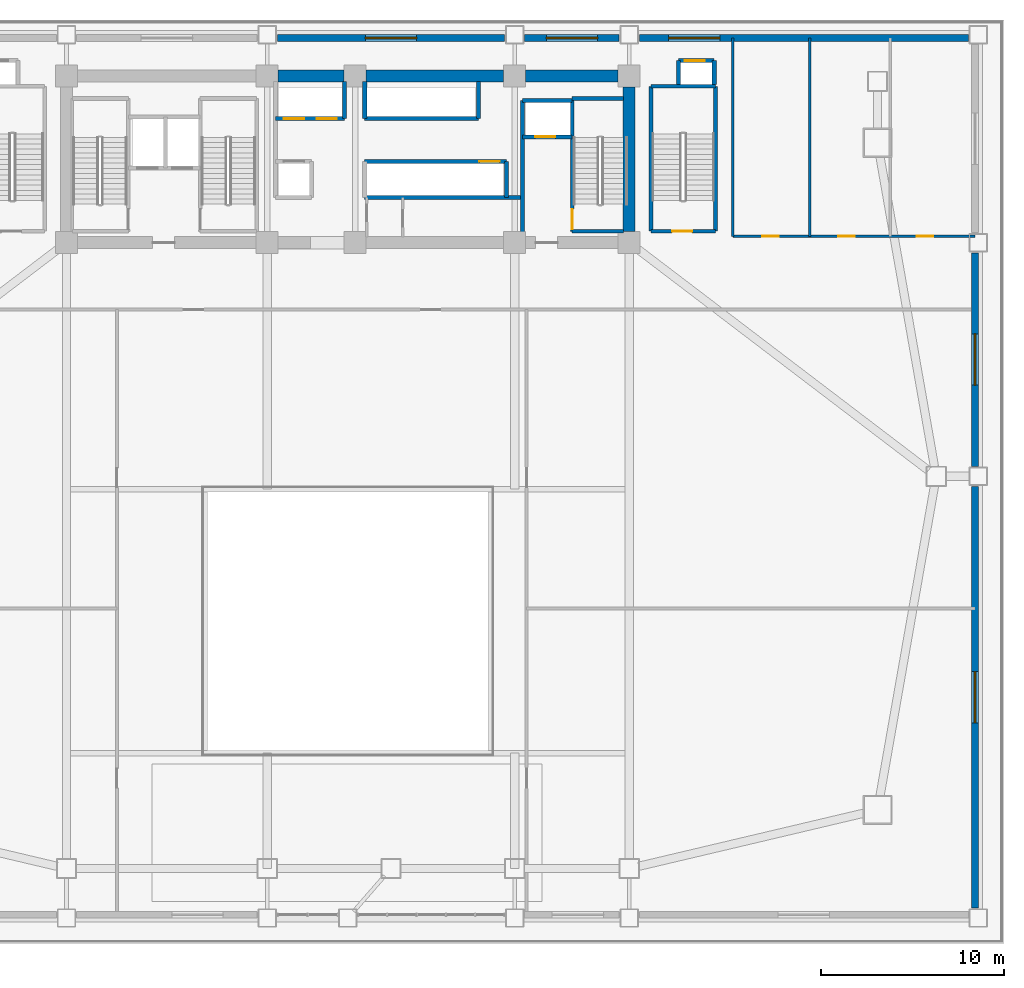
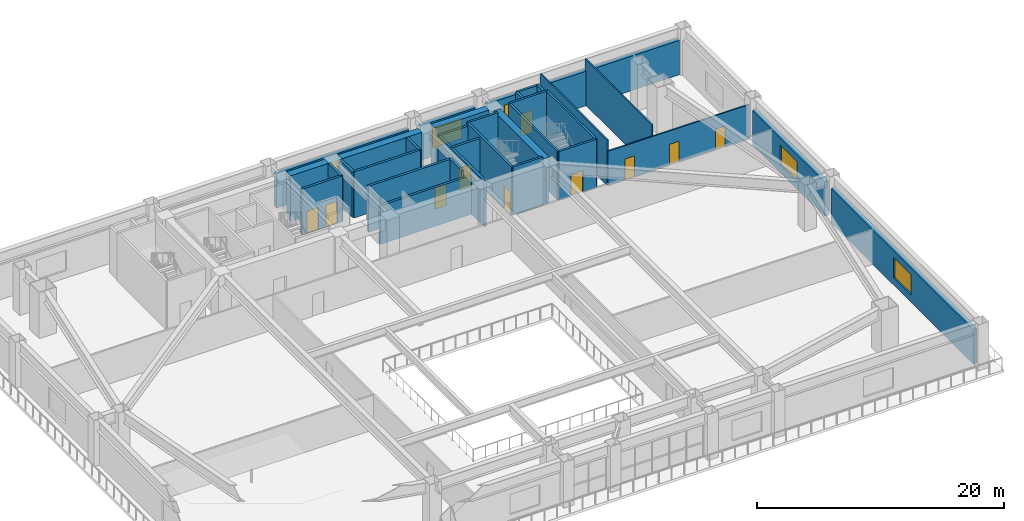
# One storey, part 8 of 14: 33 walls, 10 doors, 5 windows, 15 openings.
"""IFC4 building model written with IfcOpenShell, lengths in metres."""

from ifc_helpers import new_model, si_unit, direction, frame, frame_2d, origin, place, context, subcontext, project, spatial, rectangle, extrude, source, transform, mapped, material, layer, layer_set, type_object, element, fill, save


model = new_model("IFC4")

# Units and contexts
model_context = context("Model", 3, precision=1e-05, world=origin(), true_north=direction((0.0, 1.0)))
body_context = subcontext(model_context, "Body", "Model", "MODEL_VIEW")
ifc_project = project(units=[si_unit("LENGTHUNIT", "METRE"), si_unit("AREAUNIT", "SQUARE_METRE"), si_unit("VOLUMEUNIT", "CUBIC_METRE"), si_unit("PLANEANGLEUNIT", "RADIAN"), si_unit("MASSUNIT", "GRAM", prefix="KILO")], contexts=[model_context])

# Site, building, storey
site_placement = place(None, origin())
site = spatial("IfcSite", under=ifc_project, at=site_placement, CompositionType="ELEMENT")
building_placement = place(site_placement, origin())
building = spatial("IfcBuilding", under=site, at=building_placement, Name="Giltprow Tower", CompositionType="ELEMENT")
storey_placement = place(building_placement, frame((0.0, 0.0, 10.39990234375)))
storey = spatial("IfcBuildingStorey", under=building, at=storey_placement, Name="L03", CompositionType="ELEMENT", Elevation=10.39990234375)

# Wall, opening, window
ifc_material_1 = material(Name="Precast concrete C40", Category="concrete")
ifc_layer_1 = layer(ifc_material_1, 0.360107421875, Name="Precast concrete C40")
ifc_layer_set_1 = layer_set([ifc_layer_1], Name="Precast concrete C40")
wall_type_1 = type_object("IfcWallType", Name="EW-POD-STONE-360", PredefinedType="SOLIDWALL", material=ifc_layer_set_1)
wall_1_placement = place(storey_placement, frame((31.35009765625, 48.6201171875, 0.0), z_axis=(0.0, 0.0, 1.0), x_axis=(1.0, 0.0, 0.0)))
wall_1 = element("IfcWall", 1, at=wall_1_placement, inside=storey, type_object=wall_type_1, Name="L03 North Podium Masonry Wall 3", PredefinedType="SOLIDWALL", context=body_context, shape_type="SweptSolid", body=[
    extrude(rectangle(XDim=12.39990234375, YDim=0.360107421875, at=frame_2d((6.199951171875, 0.0))), origin(), (0.0, 0.0, 1.0), 3.420166015625),
])
opening_1_placement = place(wall_1_placement, frame((4.800048828125, 0.0, 0.719970703125)))
opening_1 = element("IfcOpeningElement", 2, at=opening_1_placement, cuts=wall_1, Name="Opening WN31", PredefinedType="OPENING", context=body_context, shape_type="SweptSolid", body=[
    extrude(rectangle(XDim=2.800048828125, YDim=2.0, at=frame_2d((1.39990234375, 1.0))), frame((0.0, 0.18994140625, 0.0), z_axis=(0.0, -1.0, 0.0), x_axis=(1.0, 0.0, 0.0)), (0.0, 0.0, 1.0), 0.380126953125),
])
ifc_material_2 = material(Name="Insulated glass", Category="glass")
window_type = type_object("IfcWindowType", Name="WN-POD-2800x2000", PartitioningType="SINGLE_PANEL", PredefinedType="WINDOW", material=ifc_material_2)
shared_shape_1 = source(origin(), body_context, "Body", "SweptSolid", [
    extrude(rectangle(XDim=2.800048828125, YDim=2.0, at=frame_2d((1.39990234375, 1.0))), frame((0.0, 0.030029296875, 0.0), z_axis=(0.0, -1.0, 0.0), x_axis=(1.0, 0.0, 0.0)), (0.0, 0.0, 1.0), 0.06005859375),
])
window_1_placement = place(opening_1_placement, origin())
window_1 = element("IfcWindow", 3, at=window_1_placement, inside=storey, type_object=window_type, Name="L03 Podium North Window 3", OverallHeight=2.0, OverallWidth=2.800048828125, PartitioningType="SINGLE_PANEL", PredefinedType="WINDOW", context=body_context, shape_type="MappedRepresentation", body=[
    mapped(shared_shape_1, transform((0.0, 0.0, 0.0), x_axis=(1.0, 0.0, 0.0), y_axis=(0.0, 1.0, 0.0), z_axis=(0.0, 0.0, 1.0), scale=1.0)),
])
fill(opening_1, window_1)

wall_2_placement = place(storey_placement, frame((44.85009765625, 48.6201171875, 0.0), z_axis=(0.0, 0.0, 1.0), x_axis=(1.0, 0.0, 0.0)))
wall_2 = element("IfcWall", 4, at=wall_2_placement, inside=storey, type_object=wall_type_1, Name="L03 North Podium Masonry Wall 4", PredefinedType="SOLIDWALL", context=body_context, shape_type="SweptSolid", body=[
    extrude(rectangle(XDim=5.14990234375, YDim=0.360107421875, at=frame_2d((2.574951171875, 0.0))), origin(), (0.0, 0.0, 1.0), 3.420166015625),
])
opening_2_placement = place(wall_2_placement, frame((1.175048828125, 0.0, 0.719970703125)))
opening_2 = element("IfcOpeningElement", 5, at=opening_2_placement, cuts=wall_2, Name="Opening WN31", PredefinedType="OPENING", context=body_context, shape_type="SweptSolid", body=[
    extrude(rectangle(XDim=2.800048828125, YDim=2.0, at=frame_2d((1.39990234375, 1.0))), frame((0.0, 0.18994140625, 0.0), z_axis=(0.0, -1.0, 0.0), x_axis=(1.0, 0.0, 0.0)), (0.0, 0.0, 1.0), 0.380126953125),
])
window_2_placement = place(opening_2_placement, origin())
window_2 = element("IfcWindow", 6, at=window_2_placement, inside=storey, type_object=window_type, Name="L03 Podium North Window 4", OverallHeight=2.0, OverallWidth=2.800048828125, PartitioningType="SINGLE_PANEL", PredefinedType="WINDOW", context=body_context, shape_type="MappedRepresentation", body=[
    mapped(shared_shape_1, transform((0.0, 0.0, 0.0), x_axis=(1.0, 0.0, 0.0), y_axis=(0.0, 1.0, 0.0), z_axis=(0.0, 0.0, 1.0), scale=1.0)),
])
fill(opening_2, window_2)

wall_3_placement = place(storey_placement, frame((51.10009765625, 48.6201171875, 0.0), z_axis=(0.0, 0.0, 1.0), x_axis=(1.0, 0.0, 0.0)))
wall_3 = element("IfcWall", 7, at=wall_3_placement, inside=storey, type_object=wall_type_1, Name="L03 North Podium Masonry Wall 5", PredefinedType="SOLIDWALL", context=body_context, shape_type="SweptSolid", body=[
    extrude(rectangle(XDim=17.949951171875, YDim=0.360107421875, at=frame_2d((8.97509765625, 0.0))), origin(), (0.0, 0.0, 1.0), 3.420166015625),
])
opening_3_placement = place(wall_3_placement, frame((1.60009765625, 0.0, 0.719970703125)))
opening_3 = element("IfcOpeningElement", 8, at=opening_3_placement, cuts=wall_3, Name="Opening WN31", PredefinedType="OPENING", context=body_context, shape_type="SweptSolid", body=[
    extrude(rectangle(XDim=2.800048828125, YDim=2.0, at=frame_2d((1.39990234375, 1.0))), frame((0.0, 0.18994140625, 0.0), z_axis=(0.0, -1.0, 0.0), x_axis=(1.0, 0.0, 0.0)), (0.0, 0.0, 1.0), 0.380126953125),
])
window_3_placement = place(opening_3_placement, origin())
window_3 = element("IfcWindow", 9, at=window_3_placement, inside=storey, type_object=window_type, Name="L03 Podium North Window 5", OverallHeight=2.0, OverallWidth=2.800048828125, PartitioningType="SINGLE_PANEL", PredefinedType="WINDOW", context=body_context, shape_type="MappedRepresentation", body=[
    mapped(shared_shape_1, transform((0.0, 0.0, 0.0), x_axis=(1.0, 0.0, 0.0), y_axis=(0.0, 1.0, 0.0), z_axis=(0.0, 0.0, 1.0), scale=1.0)),
])
fill(opening_3, window_3)

wall_4_placement = place(storey_placement, frame((69.419921875, 1.14990234375, 0.0), z_axis=(0.0, 0.0, 1.0), x_axis=(0.0, 1.0, 0.0)))
wall_4 = element("IfcWall", 10, at=wall_4_placement, inside=storey, type_object=wall_type_1, Name="L03 E Podium Masonry Wall 1", PredefinedType="SOLIDWALL", context=body_context, shape_type="SweptSolid", body=[
    extrude(rectangle(XDim=23.0, YDim=0.360107421875, at=frame_2d((11.5, 0.0))), origin(), (0.0, 0.0, 1.0), 3.420166015625),
])
opening_4_placement = place(wall_4_placement, frame((10.10009765625, 0.0, 0.719970703125)))
opening_4 = element("IfcOpeningElement", 11, at=opening_4_placement, cuts=wall_4, Name="Opening WN31", PredefinedType="OPENING", context=body_context, shape_type="SweptSolid", body=[
    extrude(rectangle(XDim=2.800048828125, YDim=2.0, at=frame_2d((1.39990234375, 1.0))), frame((0.0, 0.18994140625, 0.0), z_axis=(0.0, -1.0, 0.0), x_axis=(1.0, 0.0, 0.0)), (0.0, 0.0, 1.0), 0.380126953125),
])
window_4_placement = place(opening_4_placement, origin())
window_4 = element("IfcWindow", 12, at=window_4_placement, inside=storey, type_object=window_type, Name="L03 Podium E Window 1", OverallHeight=2.0, OverallWidth=2.800048828125, PartitioningType="SINGLE_PANEL", PredefinedType="WINDOW", context=body_context, shape_type="MappedRepresentation", body=[
    mapped(shared_shape_1, transform((0.0, 0.0, 0.0), x_axis=(1.0, 0.0, 0.0), y_axis=(0.0, 1.0, 0.0), z_axis=(0.0, 0.0, 1.0), scale=1.0)),
])
fill(opening_4, window_4)

wall_5_placement = place(storey_placement, frame((69.419921875, 25.25, 0.0), z_axis=(0.0, 0.0, 1.0), x_axis=(0.0, 1.0, 0.0)))
wall_5 = element("IfcWall", 13, at=wall_5_placement, inside=storey, type_object=wall_type_1, Name="L03 E Podium Masonry Wall 2", PredefinedType="SOLIDWALL", context=body_context, shape_type="SweptSolid", body=[
    extrude(rectangle(XDim=11.64990234375, YDim=0.360107421875, at=frame_2d((5.824951171875, 0.0))), origin(), (0.0, 0.0, 1.0), 3.420166015625),
])
opening_5_placement = place(wall_5_placement, frame((4.425048828125, 0.0, 0.719970703125)))
opening_5 = element("IfcOpeningElement", 14, at=opening_5_placement, cuts=wall_5, Name="Opening WN31", PredefinedType="OPENING", context=body_context, shape_type="SweptSolid", body=[
    extrude(rectangle(XDim=2.800048828125, YDim=2.0, at=frame_2d((1.39990234375, 1.0))), frame((0.0, 0.18994140625, 0.0), z_axis=(0.0, -1.0, 0.0), x_axis=(1.0, 0.0, 0.0)), (0.0, 0.0, 1.0), 0.380126953125),
])
window_5_placement = place(opening_5_placement, origin())
window_5 = element("IfcWindow", 15, at=window_5_placement, inside=storey, type_object=window_type, Name="L03 Podium E Window 2", OverallHeight=2.0, OverallWidth=2.800048828125, PartitioningType="SINGLE_PANEL", PredefinedType="WINDOW", context=body_context, shape_type="MappedRepresentation", body=[
    mapped(shared_shape_1, transform((0.0, 0.0, 0.0), x_axis=(1.0, 0.0, 0.0), y_axis=(0.0, 1.0, 0.0), z_axis=(0.0, 0.0, 1.0), scale=1.0)),
])
fill(opening_5, window_5)

# Wall, opening, door
ifc_material_3 = material(Name="Concrete C40", Category="concrete")
ifc_layer_2 = layer(ifc_material_3, 0.219970703125, Name="Concrete C40")
ifc_layer_set_2 = layer_set([ifc_layer_2], Name="Concrete C40")
wall_type_2 = type_object("IfcWallType", Name="IW-SHAFT-220", PredefinedType="SOLIDWALL", material=ifc_layer_set_2)
wall_6_placement = place(storey_placement, frame((44.719970703125, 43.219970703125, 0.0), z_axis=(0.0, 0.0, 1.0), x_axis=(1.0, 0.0, 0.0)))
wall_6 = element("IfcWall", 16, at=wall_6_placement, inside=storey, type_object=wall_type_2, Name="L03 FFL2 Front Shaft Wall", PredefinedType="SOLIDWALL", context=body_context, shape_type="SweptSolid", body=[
    extrude(rectangle(XDim=2.719970703125, YDim=0.219970703125, at=frame_2d((1.35986328125, 0.0))), origin(), (0.0, 0.0, 1.0), 4.5400390625),
])
opening_6_placement = place(wall_6_placement, frame((0.699951171875, 0.0, 0.0)))
opening_6 = element("IfcOpeningElement", 17, at=opening_6_placement, cuts=wall_6, Name="Opening LD-11", PredefinedType="OPENING", context=body_context, shape_type="SweptSolid", body=[
    extrude(rectangle(XDim=1.10009765625, YDim=2.199951171875, at=frame_2d((0.550048828125, 1.10009765625))), frame((0.0, 0.119873046875, 0.0), z_axis=(0.0, -1.0, 0.0), x_axis=(1.0, 0.0, 0.0)), (0.0, 0.0, 1.0), 0.239990234375),
])
ifc_material_4 = material(Name="Stainless steel", Category="steel")
door_type_1 = type_object("IfcDoorType", Name="DR-LIFT-LD1100", OperationType="SLIDING_TO_LEFT", PredefinedType="DOOR", material=ifc_material_4)
shared_shape_2 = source(origin(), body_context, "Body", "SweptSolid", [
    extrude(rectangle(XDim=1.10009765625, YDim=2.199951171875, at=frame_2d((0.550048828125, 1.10009765625))), frame((0.0, 0.02490234375, 0.0), z_axis=(0.0, -1.0, 0.0), x_axis=(1.0, 0.0, 0.0)), (0.0, 0.0, 1.0), 0.050048828125),
])
door_1_placement = place(opening_6_placement, origin())
door_1 = element("IfcDoor", 18, at=door_1_placement, inside=storey, type_object=door_type_1, Name="L03 FFL2 Landing Door", OperationType="SLIDING_TO_LEFT", OverallHeight=2.199951171875, OverallWidth=1.10009765625, PredefinedType="DOOR", context=body_context, shape_type="MappedRepresentation", body=[
    mapped(shared_shape_2, transform((0.0, 0.0, 0.0), x_axis=(1.0, 0.0, 0.0), y_axis=(0.0, 1.0, 0.0), z_axis=(0.0, 0.0, 1.0), scale=1.0)),
])
fill(opening_6, door_1)

# Walls
wall_7_placement = place(storey_placement, frame((44.719970703125, 45.219970703125, 0.0), z_axis=(0.0, 0.0, 1.0), x_axis=(1.0, 0.0, 0.0)))
element("IfcWall", 19, at=wall_7_placement, inside=storey, type_object=wall_type_2, Name="L03 FFL2 Back Shaft Wall", PredefinedType="SOLIDWALL", context=body_context, shape_type="SweptSolid", body=[
    extrude(rectangle(XDim=2.719970703125, YDim=0.219970703125, at=frame_2d((1.35986328125, 0.0))), origin(), (0.0, 0.0, 1.0), 4.5400390625),
])
wall_8_placement = place(storey_placement, frame((44.719970703125, 37.7548828125, 0.0), z_axis=(0.0, 0.0, 1.0), x_axis=(0.0, 1.0, 0.0)))
element("IfcWall", 20, at=wall_8_placement, inside=storey, type_object=wall_type_2, Name="L03 East Firefighting Lobby West Wall", PredefinedType="SOLIDWALL", context=body_context, shape_type="SweptSolid", body=[
    extrude(rectangle(XDim=7.465087890625, YDim=0.219970703125, at=frame_2d((3.732421875, 0.0))), origin(), (0.0, 0.0, 1.0), 4.5400390625),
])

# Wall, opening, door
wall_9_placement = place(storey_placement, frame((53.22998046875, 47.3798828125, 0.0), z_axis=(0.0, 0.0, 1.0), x_axis=(1.0, 0.0, 0.0)))
wall_9 = element("IfcWall", 21, at=wall_9_placement, inside=storey, type_object=wall_type_2, Name="L03 PL-P2 Front Wall", PredefinedType="SOLIDWALL", context=body_context, shape_type="SweptSolid", body=[
    extrude(rectangle(XDim=1.9599609375, YDim=0.219970703125, at=frame_2d((0.97998046875, 0.0))), origin(), (0.0, 0.0, 1.0), 4.5400390625),
])
opening_7_placement = place(wall_9_placement, frame((0.35009765625, 0.0, 0.0)))
opening_7 = element("IfcOpeningElement", 22, at=opening_7_placement, cuts=wall_9, Name="Opening LD-11", PredefinedType="OPENING", context=body_context, shape_type="SweptSolid", body=[
    extrude(rectangle(XDim=1.10009765625, YDim=2.199951171875, at=frame_2d((0.550048828125, 1.10009765625))), frame((0.0, 0.119873046875, 0.0), z_axis=(0.0, -1.0, 0.0), x_axis=(1.0, 0.0, 0.0)), (0.0, 0.0, 1.0), 0.239990234375),
])
door_2_placement = place(opening_7_placement, origin())
door_2 = element("IfcDoor", 23, at=door_2_placement, inside=storey, type_object=door_type_1, Name="L03 PL-P2 Landing Door", OperationType="SLIDING_TO_LEFT", OverallHeight=2.199951171875, OverallWidth=1.10009765625, PredefinedType="DOOR", context=body_context, shape_type="MappedRepresentation", body=[
    mapped(shared_shape_2, transform((0.0, 0.0, 0.0), x_axis=(1.0, 0.0, 0.0), y_axis=(0.0, 1.0, 0.0), z_axis=(0.0, 0.0, 1.0), scale=1.0)),
])
fill(opening_7, door_2)

# Walls
for number, where, z_axis, x_axis, name in (
    (24, (53.22998046875, 46.090087890625, 0.0), (0.0, 0.0, 1.0), (0.0, 1.0, 0.0), "L03 PL-P2 West Shaft Wall"),
    (25, (55.18994140625, 46.090087890625, 0.0), (0.0, 0.0, 1.0), (0.0, 1.0, 0.0), "L03 PL-P2 East Shaft Wall"),
):
    element("IfcWall", number, at=place(storey_placement, frame(where, z_axis=z_axis, x_axis=x_axis)), inside=storey, type_object=wall_type_2, Name=name, PredefinedType="SOLIDWALL", context=body_context, shape_type="SweptSolid", body=[
        extrude(rectangle(XDim=1.289794921875, YDim=0.219970703125, at=frame_2d((0.64501953125, 0.0))), origin(), (0.0, 0.0, 1.0), 4.5400390625),
    ])

# Wall, openings, doors
wall_10_placement = place(storey_placement, frame((31.25, 44.219970703125, 0.0), z_axis=(0.0, 0.0, 1.0), x_axis=(1.0, 0.0, 0.0)))
wall_10 = element("IfcWall", 26, at=wall_10_placement, inside=storey, type_object=wall_type_2, Name="L03 North West Lift Shaft Front Wall", PredefinedType="SOLIDWALL", context=body_context, shape_type="SweptSolid", body=[
    extrude(rectangle(XDim=3.77001953125, YDim=0.219970703125, at=frame_2d((1.885009765625, 0.0))), origin(), (0.0, 0.0, 1.0), 4.5400390625),
])
opening_8_placement = place(wall_10_placement, frame((0.4599609375, 0.0, 0.0)))
opening_8 = element("IfcOpeningElement", 27, at=opening_8_placement, cuts=wall_10, Name="Opening LD-11", PredefinedType="OPENING", context=body_context, shape_type="SweptSolid", body=[
    extrude(rectangle(XDim=1.10009765625, YDim=2.199951171875, at=frame_2d((0.550048828125, 1.10009765625))), frame((0.0, 0.119873046875, 0.0), z_axis=(0.0, -1.0, 0.0), x_axis=(1.0, 0.0, 0.0)), (0.0, 0.0, 1.0), 0.239990234375),
])
opening_9_placement = place(wall_10_placement, frame((2.239990234375, 0.0, 0.0)))
opening_9 = element("IfcOpeningElement", 28, at=opening_9_placement, cuts=wall_10, Name="Opening LD-11", PredefinedType="OPENING", context=body_context, shape_type="SweptSolid", body=[
    extrude(rectangle(XDim=1.10009765625, YDim=2.199951171875, at=frame_2d((0.550048828125, 1.10009765625))), frame((0.0, 0.119873046875, 0.0), z_axis=(0.0, -1.0, 0.0), x_axis=(1.0, 0.0, 0.0)), (0.0, 0.0, 1.0), 0.239990234375),
])
door_3_placement = place(opening_8_placement, origin())
door_3 = element("IfcDoor", 29, at=door_3_placement, inside=storey, type_object=door_type_1, Name="L03 PL-L1 Landing Door", OperationType="SLIDING_TO_LEFT", OverallHeight=2.199951171875, OverallWidth=1.10009765625, PredefinedType="DOOR", context=body_context, shape_type="MappedRepresentation", body=[
    mapped(shared_shape_2, transform((0.0, 0.0, 0.0), x_axis=(1.0, 0.0, 0.0), y_axis=(0.0, 1.0, 0.0), z_axis=(0.0, 0.0, 1.0), scale=1.0)),
])
fill(opening_8, door_3)
door_4_placement = place(opening_9_placement, origin())
door_4 = element("IfcDoor", 30, at=door_4_placement, inside=storey, type_object=door_type_1, Name="L03 PL-L2 Landing Door", OperationType="SLIDING_TO_LEFT", OverallHeight=2.199951171875, OverallWidth=1.10009765625, PredefinedType="DOOR", context=body_context, shape_type="MappedRepresentation", body=[
    mapped(shared_shape_2, transform((0.0, 0.0, 0.0), x_axis=(1.0, 0.0, 0.0), y_axis=(0.0, 1.0, 0.0), z_axis=(0.0, 0.0, 1.0), scale=1.0)),
])
fill(opening_9, door_4)

# Walls
wall_11_placement = place(storey_placement, frame((36.1201171875, 44.219970703125, 0.0), z_axis=(0.0, 0.0, 1.0), x_axis=(1.0, 0.0, 0.0)))
element("IfcWall", 31, at=wall_11_placement, inside=storey, type_object=wall_type_2, Name="L03 North East Lift Shaft Front Wall", PredefinedType="SOLIDWALL", context=body_context, shape_type="SweptSolid", body=[
    extrude(rectangle(XDim=6.199951171875, YDim=0.219970703125, at=frame_2d((3.10009765625, 0.0))), origin(), (0.0, 0.0, 1.0), 4.5400390625),
])
for number, where, z_axis, x_axis, name in (
    (32, (35.02001953125, 44.219970703125, 0.0), (0.0, 0.0, 1.0), (0.0, 1.0, 0.0), "L03 North West Lift Shaft East Closure"),
    (33, (36.1201171875, 44.219970703125, 0.0), (0.0, 0.0, 1.0), (0.0, 1.0, 0.0), "L03 North East Lift Shaft West Closure"),
    (34, (42.320068359375, 44.219970703125, 0.0), (0.0, 0.0, 1.0), (0.0, 1.0, 0.0), "L03 North East Lift Shaft East Closure"),
):
    element("IfcWall", number, at=place(storey_placement, frame(where, z_axis=z_axis, x_axis=x_axis)), inside=storey, type_object=wall_type_2, Name=name, PredefinedType="SOLIDWALL", context=body_context, shape_type="SweptSolid", body=[
        extrude(rectangle(XDim=2.025146484375, YDim=0.219970703125, at=frame_2d((1.0126953125, 0.0))), origin(), (0.0, 0.0, 1.0), 4.5400390625),
    ])

# Wall, opening, door
wall_12_placement = place(storey_placement, frame((36.1201171875, 41.8798828125, 0.0), z_axis=(0.0, 0.0, 1.0), x_axis=(1.0, 0.0, 0.0)))
wall_12 = element("IfcWall", 35, at=wall_12_placement, inside=storey, type_object=wall_type_2, Name="L03 South East Lift Shaft Front Wall", PredefinedType="SOLIDWALL", context=body_context, shape_type="SweptSolid", body=[
    extrude(rectangle(XDim=7.72998046875, YDim=0.219970703125, at=frame_2d((3.864990234375, 0.0))), origin(), (0.0, 0.0, 1.0), 4.5400390625),
])
opening_10_placement = place(wall_12_placement, frame((6.260009765625, 0.0, 0.0)))
opening_10 = element("IfcOpeningElement", 36, at=opening_10_placement, cuts=wall_12, Name="Opening LD-11", PredefinedType="OPENING", context=body_context, shape_type="SweptSolid", body=[
    extrude(rectangle(XDim=1.10009765625, YDim=2.199951171875, at=frame_2d((0.550048828125, 1.10009765625))), frame((0.0, 0.119873046875, 0.0), z_axis=(0.0, -1.0, 0.0), x_axis=(1.0, 0.0, 0.0)), (0.0, 0.0, 1.0), 0.239990234375),
])
door_5_placement = place(opening_10_placement, origin())
door_5 = element("IfcDoor", 37, at=door_5_placement, inside=storey, type_object=door_type_1, Name="L03 PL-L4 Landing Door", OperationType="SLIDING_TO_LEFT", OverallHeight=2.199951171875, OverallWidth=1.10009765625, PredefinedType="DOOR", context=body_context, shape_type="MappedRepresentation", body=[
    mapped(shared_shape_2, transform((0.0, 0.0, 0.0), x_axis=(1.0, 0.0, 0.0), y_axis=(0.0, 1.0, 0.0), z_axis=(0.0, 0.0, 1.0), scale=1.0)),
])
fill(opening_10, door_5)

# Walls
wall_13_placement = place(storey_placement, frame((36.1201171875, 39.919921875, 0.0), z_axis=(0.0, 0.0, 1.0), x_axis=(1.0, 0.0, 0.0)))
element("IfcWall", 38, at=wall_13_placement, inside=storey, type_object=wall_type_2, Name="L03 Express South Shaft Back Wall", PredefinedType="SOLIDWALL", context=body_context, shape_type="SweptSolid", body=[
    extrude(rectangle(XDim=8.599853515625, YDim=0.219970703125, at=frame_2d((4.2998046875, 0.0))), origin(), (0.0, 0.0, 1.0), 3.8251953125),
])
wall_14_placement = place(storey_placement, frame((43.85009765625, 39.919921875, 0.0), z_axis=(0.0, 0.0, 1.0), x_axis=(0.0, 1.0, 0.0)))
element("IfcWall", 39, at=wall_14_placement, inside=storey, type_object=wall_type_2, Name="L03 Lift Bank South-East Closure", PredefinedType="SOLIDWALL", context=body_context, shape_type="SweptSolid", body=[
    extrude(rectangle(XDim=1.9599609375, YDim=0.219970703125, at=frame_2d((0.97998046875, 0.0))), origin(), (0.0, 0.0, 1.0), 4.5400390625),
])

# Wall, opening, door
ifc_layer_3 = layer(ifc_material_3, 0.199951171875, Name="Concrete C40")
ifc_layer_set_3 = layer_set([ifc_layer_3], Name="Concrete C40")
wall_type_3 = type_object("IfcWallType", Name="IW-STAIR-200", PredefinedType="SOLIDWALL", material=ifc_layer_set_3)
wall_15_placement = place(storey_placement, frame((47.43994140625, 38.070068359375, 0.0), z_axis=(0.0, 0.0, 1.0), x_axis=(0.0, 1.0, 0.0)))
wall_15 = element("IfcWall", 40, at=wall_15_placement, inside=storey, type_object=wall_type_3, Name="L03 Stair ST-3 West Bearing Wall", PredefinedType="SOLIDWALL", context=body_context, shape_type="SweptSolid", body=[
    extrude(rectangle(XDim=7.25, YDim=0.199951171875, at=frame_2d((3.625, 0.0))), origin(), (0.0, 0.0, 1.0), 4.800048828125),
])
opening_11_placement = place(wall_15_placement, frame((0.110107421875, 0.0, 0.0)))
opening_11 = element("IfcOpeningElement", 41, at=opening_11_placement, cuts=wall_15, Name="Opening ID33", PredefinedType="OPENING", context=body_context, shape_type="SweptSolid", body=[
    extrude(rectangle(XDim=1.10009765625, YDim=2.14990234375, at=frame_2d((0.550048828125, 1.074951171875))), frame((0.0, 0.10986328125, 0.0), z_axis=(0.0, -1.0, 0.0), x_axis=(1.0, 0.0, 0.0)), (0.0, 0.0, 1.0), 0.219970703125),
])
ifc_material_5 = material(Name="Steel fire leaf", Category="steel")
door_type_2 = type_object("IfcDoorType", Name="DR-STAIR-1100", OperationType="SINGLE_SWING_LEFT", PredefinedType="DOOR", material=ifc_material_5)
shared_shape_3 = source(origin(), body_context, "Body", "SweptSolid", [
    extrude(rectangle(XDim=1.10009765625, YDim=2.14990234375, at=frame_2d((0.550048828125, 1.074951171875))), frame((0.0, 0.02490234375, 0.0), z_axis=(0.0, -1.0, 0.0), x_axis=(1.0, 0.0, 0.0)), (0.0, 0.0, 1.0), 0.050048828125),
])
door_6_placement = place(opening_11_placement, origin())
door_6 = element("IfcDoor", 42, at=door_6_placement, inside=storey, type_object=door_type_2, Name="L03 Stair ST-3 Fire Door", OperationType="SINGLE_SWING_RIGHT", OverallHeight=2.14990234375, OverallWidth=1.10009765625, PredefinedType="DOOR", context=body_context, shape_type="MappedRepresentation", body=[
    mapped(shared_shape_3, transform((0.0, 0.0, 0.0), x_axis=(1.0, 0.0, 0.0), y_axis=(0.0, 1.0, 0.0), z_axis=(0.0, 0.0, 1.0), scale=1.0)),
])
fill(opening_11, door_6)

# Walls
for number, where, z_axis, x_axis, name in (
    (43, (47.43994140625, 45.320068359375, 0.0), (0.0, 0.0, 1.0), (1.0, 0.0, 0.0), "L03 Stair ST-3 North Bearing Wall"),
    (44, (47.43994140625, 38.070068359375, 0.0), (0.0, 0.0, 1.0), (1.0, 0.0, 0.0), "L03 Stair ST-3 South Bearing Wall"),
):
    element("IfcWall", number, at=place(storey_placement, frame(where, z_axis=z_axis, x_axis=x_axis)), inside=storey, type_object=wall_type_3, Name=name, PredefinedType="SOLIDWALL", context=body_context, shape_type="SweptSolid", body=[
        extrude(rectangle(XDim=2.80517578125, YDim=0.199951171875, at=frame_2d((1.402587890625, 0.0))), origin(), (0.0, 0.0, 1.0), 4.800048828125),
    ])
for number, where, z_axis, x_axis, name in (
    (45, (51.739990234375, 38.080078125, 0.0), (0.0, 0.0, 1.0), (0.0, 1.0, 0.0), "L03 Podium Stair ST-P2 West Bearing Wall"),
    (46, (55.260009765625, 38.080078125, 0.0), (0.0, 0.0, 1.0), (0.0, 1.0, 0.0), "L03 Podium Stair ST-P2 East Bearing Wall"),
):
    element("IfcWall", number, at=place(storey_placement, frame(where, z_axis=z_axis, x_axis=x_axis)), inside=storey, type_object=wall_type_3, Name=name, PredefinedType="SOLIDWALL", context=body_context, shape_type="SweptSolid", body=[
        extrude(rectangle(XDim=7.89990234375, YDim=0.199951171875, at=frame_2d((3.949951171875, 0.0))), origin(), (0.0, 0.0, 1.0), 4.800048828125),
    ])
wall_16_placement = place(storey_placement, frame((51.739990234375, 45.97998046875, 0.0), z_axis=(0.0, 0.0, 1.0), x_axis=(1.0, 0.0, 0.0)))
element("IfcWall", 47, at=wall_16_placement, inside=storey, type_object=wall_type_3, Name="L03 Podium Stair ST-P2 North Bearing Wall", PredefinedType="SOLIDWALL", context=body_context, shape_type="SweptSolid", body=[
    extrude(rectangle(XDim=3.52001953125, YDim=0.199951171875, at=frame_2d((1.760009765625, 0.0))), origin(), (0.0, 0.0, 1.0), 4.800048828125),
])

# Wall, opening, door
wall_17_placement = place(storey_placement, frame((51.739990234375, 38.080078125, 0.0), z_axis=(0.0, 0.0, 1.0), x_axis=(1.0, 0.0, 0.0)))
wall_17 = element("IfcWall", 48, at=wall_17_placement, inside=storey, type_object=wall_type_3, Name="L03 Podium Stair ST-P2 South Bearing Wall", PredefinedType="SOLIDWALL", context=body_context, shape_type="SweptSolid", body=[
    extrude(rectangle(XDim=3.52001953125, YDim=0.199951171875, at=frame_2d((1.760009765625, 0.0))), origin(), (0.0, 0.0, 1.0), 4.800048828125),
])
opening_12_placement = place(wall_17_placement, frame((1.14990234375, 0.0, 0.0)))
opening_12 = element("IfcOpeningElement", 49, at=opening_12_placement, cuts=wall_17, Name="Opening ID33", PredefinedType="OPENING", context=body_context, shape_type="SweptSolid", body=[
    extrude(rectangle(XDim=1.10009765625, YDim=2.14990234375, at=frame_2d((0.550048828125, 1.074951171875))), frame((0.0, 0.10986328125, 0.0), z_axis=(0.0, -1.0, 0.0), x_axis=(1.0, 0.0, 0.0)), (0.0, 0.0, 1.0), 0.219970703125),
])
door_7_placement = place(opening_12_placement, origin())
door_7 = element("IfcDoor", 50, at=door_7_placement, inside=storey, type_object=door_type_2, Name="L03 Podium Stair ST-P2 Door", OperationType="SINGLE_SWING_RIGHT", OverallHeight=2.14990234375, OverallWidth=1.10009765625, PredefinedType="DOOR", context=body_context, shape_type="MappedRepresentation", body=[
    mapped(shared_shape_3, transform((0.0, 0.0, 0.0), x_axis=(1.0, 0.0, 0.0), y_axis=(0.0, 1.0, 0.0), z_axis=(0.0, 0.0, 1.0), scale=1.0)),
])
fill(opening_12, door_7)

# Wall
ifc_material_6 = material(Name="Concrete C30", Category="concrete")
ifc_layer_4 = layer(ifc_material_6, 0.1298828125, Name="Concrete C30")
ifc_layer_set_4 = layer_set([ifc_layer_4], Name="Concrete C30")
wall_type_4 = type_object("IfcWallType", Name="IW-WET-130", PredefinedType="PARTITIONING", material=ifc_layer_set_4)
wall_18_placement = place(storey_placement, frame((56.199951171875, 37.800048828125, 0.0), z_axis=(0.0, 0.0, 1.0), x_axis=(0.0, 1.0, 0.0)))
element("IfcWall", 51, at=wall_18_placement, inside=storey, type_object=wall_type_4, Name="L03 Public Washrooms West Wall", PredefinedType="PARTITIONING", context=body_context, shape_type="SweptSolid", body=[
    extrude(rectangle(XDim=10.820068359375, YDim=0.1298828125, at=frame_2d((5.41015625, 0.0))), origin(), (0.0, 0.0, 1.0), 4.5400390625),
])

# Wall, openings, doors
wall_19_placement = place(storey_placement, frame((56.199951171875, 37.800048828125, 0.0), z_axis=(0.0, 0.0, 1.0), x_axis=(1.0, 0.0, 0.0)))
wall_19 = element("IfcWall", 52, at=wall_19_placement, inside=storey, type_object=wall_type_4, Name="L03 Public Washrooms South Wall", PredefinedType="PARTITIONING", context=body_context, shape_type="SweptSolid", body=[
    extrude(rectangle(XDim=13.219970703125, YDim=0.1298828125, at=frame_2d((6.60986328125, 0.0))), origin(), (0.0, 0.0, 1.0), 3.425048828125),
])
opening_13_placement = place(wall_19_placement, frame((1.60009765625, 0.0, 0.0)))
opening_13 = element("IfcOpeningElement", 53, at=opening_13_placement, cuts=wall_19, Name="Opening ID15", PredefinedType="OPENING", context=body_context, shape_type="SweptSolid", body=[
    extrude(rectangle(XDim=0.89990234375, YDim=2.10009765625, at=frame_2d((0.449951171875, 1.050048828125))), frame((0.0, 0.074951171875, 0.0), z_axis=(0.0, -1.0, 0.0), x_axis=(1.0, 0.0, 0.0)), (0.0, 0.0, 1.0), 0.14990234375),
])
opening_14_placement = place(wall_19_placement, frame((5.75, 0.0, 0.0)))
opening_14 = element("IfcOpeningElement", 54, at=opening_14_placement, cuts=wall_19, Name="Opening ID15", PredefinedType="OPENING", context=body_context, shape_type="SweptSolid", body=[
    extrude(rectangle(XDim=0.89990234375, YDim=2.10009765625, at=frame_2d((0.449951171875, 1.050048828125))), frame((0.0, 0.074951171875, 0.0), z_axis=(0.0, -1.0, 0.0), x_axis=(1.0, 0.0, 0.0)), (0.0, 0.0, 1.0), 0.14990234375),
])
opening_15_placement = place(wall_19_placement, frame((10.050048828125, 0.0, 0.0)))
opening_15 = element("IfcOpeningElement", 55, at=opening_15_placement, cuts=wall_19, Name="Opening ID15", PredefinedType="OPENING", context=body_context, shape_type="SweptSolid", body=[
    extrude(rectangle(XDim=0.89990234375, YDim=2.10009765625, at=frame_2d((0.449951171875, 1.050048828125))), frame((0.0, 0.074951171875, 0.0), z_axis=(0.0, -1.0, 0.0), x_axis=(1.0, 0.0, 0.0)), (0.0, 0.0, 1.0), 0.14990234375),
])
ifc_material_7 = material(Name="Engineered timber", Category="wood")
door_type_3 = type_object("IfcDoorType", Name="DR-WC-900", OperationType="SINGLE_SWING_LEFT", PredefinedType="DOOR", material=ifc_material_7)
shared_shape_4 = source(origin(), body_context, "Body", "SweptSolid", [
    extrude(rectangle(XDim=0.89990234375, YDim=2.10009765625, at=frame_2d((0.449951171875, 1.050048828125))), frame((0.0, 0.02490234375, 0.0), z_axis=(0.0, -1.0, 0.0), x_axis=(1.0, 0.0, 0.0)), (0.0, 0.0, 1.0), 0.050048828125),
])
door_8_placement = place(opening_13_placement, origin())
door_8 = element("IfcDoor", 56, at=door_8_placement, inside=storey, type_object=door_type_3, Name="L03 Male Public Restroom Door", OperationType="SINGLE_SWING_LEFT", OverallHeight=2.10009765625, OverallWidth=0.89990234375, PredefinedType="DOOR", context=body_context, shape_type="MappedRepresentation", body=[
    mapped(shared_shape_4, transform((0.0, 0.0, 0.0), x_axis=(1.0, 0.0, 0.0), y_axis=(0.0, 1.0, 0.0), z_axis=(0.0, 0.0, 1.0), scale=1.0)),
])
fill(opening_13, door_8)
door_9_placement = place(opening_14_placement, origin())
door_9 = element("IfcDoor", 57, at=door_9_placement, inside=storey, type_object=door_type_3, Name="L03 Female Public Restroom Door", OperationType="SINGLE_SWING_RIGHT", OverallHeight=2.10009765625, OverallWidth=0.89990234375, PredefinedType="DOOR", context=body_context, shape_type="MappedRepresentation", body=[
    mapped(shared_shape_4, transform((0.0, 0.0, 0.0), x_axis=(1.0, 0.0, 0.0), y_axis=(0.0, 1.0, 0.0), z_axis=(0.0, 0.0, 1.0), scale=1.0)),
])
fill(opening_14, door_9)
door_10_placement = place(opening_15_placement, origin())
door_10 = element("IfcDoor", 58, at=door_10_placement, inside=storey, type_object=door_type_3, Name="L03 Accessible Restroom Door", OperationType="SINGLE_SWING_LEFT", OverallHeight=2.10009765625, OverallWidth=0.89990234375, PredefinedType="DOOR", context=body_context, shape_type="MappedRepresentation", body=[
    mapped(shared_shape_4, transform((0.0, 0.0, 0.0), x_axis=(1.0, 0.0, 0.0), y_axis=(0.0, 1.0, 0.0), z_axis=(0.0, 0.0, 1.0), scale=1.0)),
])
fill(opening_15, door_10)

# Walls
wall_20_placement = place(storey_placement, frame((60.39990234375, 37.800048828125, 0.0), z_axis=(0.0, 0.0, 1.0), x_axis=(0.0, 1.0, 0.0)))
element("IfcWall", 59, at=wall_20_placement, inside=storey, type_object=wall_type_4, Name="L03 Washroom Divider 1", PredefinedType="PARTITIONING", context=body_context, shape_type="SweptSolid", body=[
    extrude(rectangle(XDim=10.820068359375, YDim=0.1298828125, at=frame_2d((5.41015625, 0.0))), origin(), (0.0, 0.0, 1.0), 4.5400390625),
])
ifc_material_8 = material(Name="Concrete C60", Category="concrete")
ifc_layer_5 = layer(ifc_material_8, 0.64990234375, Name="Concrete C60")
ifc_layer_set_5 = layer_set([ifc_layer_5], Name="Concrete C60")
wall_type_5 = type_object("IfcWallType", Name="SW-INT-650-C60", PredefinedType="SHEAR", material=ifc_layer_set_5)
wall_21_placement = place(storey_placement, frame((31.39990234375, 46.550048828125, 0.0), z_axis=(0.0, 0.0, 1.0), x_axis=(1.0, 0.0, 0.0)))
element("IfcWall", 60, at=wall_21_placement, inside=storey, type_object=wall_type_5, Name="L03 North Rear Core Shear Wall 2", PredefinedType="SHEAR", context=body_context, shape_type="SweptSolid", body=[
    extrude(rectangle(XDim=3.60009765625, YDim=0.64990234375, at=frame_2d((1.800048828125, 0.0))), origin(), (0.0, 0.0, 1.0), 4.5400390625),
])
wall_22_placement = place(storey_placement, frame((36.199951171875, 46.550048828125, 0.0), z_axis=(0.0, 0.0, 1.0), x_axis=(1.0, 0.0, 0.0)))
element("IfcWall", 61, at=wall_22_placement, inside=storey, type_object=wall_type_5, Name="L03 North Rear Core Shear Wall 3", PredefinedType="SHEAR", context=body_context, shape_type="SweptSolid", body=[
    extrude(rectangle(XDim=7.5, YDim=0.64990234375, at=frame_2d((3.75, 0.0))), origin(), (0.0, 0.0, 1.0), 4.5400390625),
])
wall_23_placement = place(storey_placement, frame((44.89990234375, 46.550048828125, 0.0), z_axis=(0.0, 0.0, 1.0), x_axis=(1.0, 0.0, 0.0)))
element("IfcWall", 62, at=wall_23_placement, inside=storey, type_object=wall_type_5, Name="L03 North Rear Core Shear Wall 4", PredefinedType="SHEAR", context=body_context, shape_type="SweptSolid", body=[
    extrude(rectangle(XDim=5.050048828125, YDim=0.64990234375, at=frame_2d((2.52490234375, 0.0))), origin(), (0.0, 0.0, 1.0), 4.5400390625),
])
wall_24_placement = place(storey_placement, frame((50.550048828125, 38.050048828125, 0.0), z_axis=(0.0, 0.0, 1.0), x_axis=(0.0, 1.0, 0.0)))
element("IfcWall", 63, at=wall_24_placement, inside=storey, type_object=wall_type_5, Name="L03 E Rear Core Shear Wall", PredefinedType="SHEAR", context=body_context, shape_type="SweptSolid", body=[
    extrude(rectangle(XDim=7.89990234375, YDim=0.64990234375, at=frame_2d((3.949951171875, 0.0))), origin(), (0.0, 0.0, 1.0), 4.5400390625),
])

save(model, "model.ifc")
